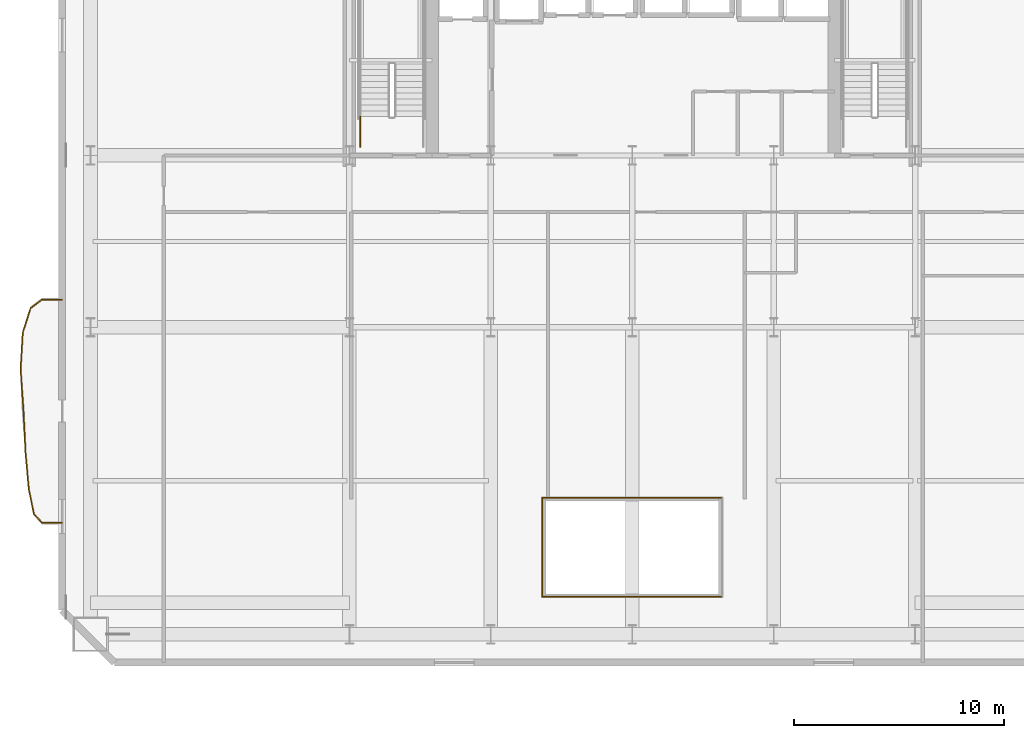
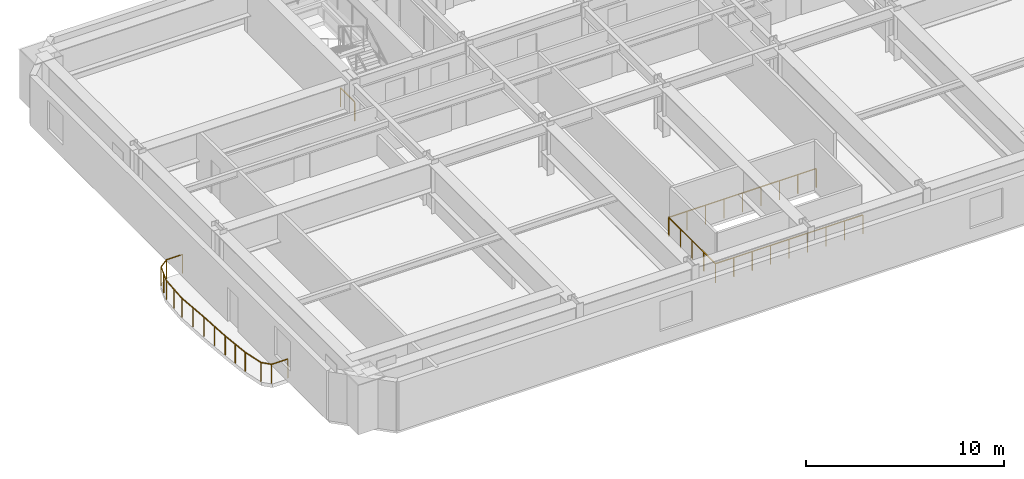
# One storey, part 12 of 18: 14 railings.
"""IFC4 building model written with IfcOpenShell, lengths in metres."""

from ifc_helpers import new_model, si_unit, direction, frame, origin, origin_2d, place, context, subcontext, project, spatial, rectangle, extrude, material, type_object, element, save


model = new_model("IFC4")

# Units and contexts
model_context = context("Model", 3, precision=1e-05, world=origin(), true_north=direction((0.0, 1.0)))
body_context = subcontext(model_context, "Body", "Model", "MODEL_VIEW")
ifc_project = project(units=[si_unit("LENGTHUNIT", "METRE"), si_unit("AREAUNIT", "SQUARE_METRE"), si_unit("VOLUMEUNIT", "CUBIC_METRE"), si_unit("PLANEANGLEUNIT", "RADIAN"), si_unit("MASSUNIT", "GRAM", prefix="KILO")], contexts=[model_context])

# Site, building, storey
site_placement = place(None, origin())
site = spatial("IfcSite", under=ifc_project, at=site_placement, CompositionType="ELEMENT")
building_placement = place(site_placement, origin())
building = spatial("IfcBuilding", under=site, at=building_placement, Name="Haevon Station Towers", CompositionType="ELEMENT")
storey_placement = place(building_placement, frame((0.0, 0.0, 47.10009765625)))
storey = spatial("IfcBuildingStorey", under=building, at=storey_placement, Name="L11", CompositionType="ELEMENT", Elevation=47.10009765625)

# Railings
ifc_material = material(Name="Steel S355", Category="steel")
railing_type_1 = type_object("IfcRailingType", Name="BAL-ATR1200", PredefinedType="BALUSTRADE", material=ifc_material)
railing_1_placement = place(storey_placement, frame((33.19482421875, 17.142333984375, 0.0)))
element("IfcRailing", 1, at=railing_1_placement, inside=storey, type_object=railing_type_1, Name="L11 Atrium Void Balustrade 1", PredefinedType="BALUSTRADE", context=body_context, shape_type="SweptSolid", body=[
    extrude(rectangle(XDim=0.048095703125, YDim=0.048095703125, at=origin_2d()), frame((0.0, 0.0, 1.17578125), z_axis=(1.0, 0.0, 0.0), x_axis=(0.0, 1.0, 0.0)), (0.0, 0.0, 1.0), 8.6103515625),
    extrude(rectangle(XDim=0.0419921875, YDim=0.0419921875, at=origin_2d()), origin(), (0.0, 0.0, 1.0), 1.15185546875),
    extrude(rectangle(XDim=0.0419921875, YDim=0.0419921875, at=origin_2d()), frame((1.076171875, 0.0, 0.0)), (0.0, 0.0, 1.0), 1.15185546875),
    extrude(rectangle(XDim=0.0419921875, YDim=0.0419921875, at=origin_2d()), frame((2.152587890625, 0.0, 0.0)), (0.0, 0.0, 1.0), 1.15185546875),
    extrude(rectangle(XDim=0.0419921875, YDim=0.0419921875, at=origin_2d()), frame((3.22900390625, 0.0, 0.0)), (0.0, 0.0, 1.0), 1.15185546875),
    extrude(rectangle(XDim=0.0419921875, YDim=0.0419921875, at=origin_2d()), frame((4.30517578125, 0.0, 0.0)), (0.0, 0.0, 1.0), 1.15185546875),
    extrude(rectangle(XDim=0.0419921875, YDim=0.0419921875, at=origin_2d()), frame((5.38134765625, 0.0, 0.0)), (0.0, 0.0, 1.0), 1.15185546875),
    extrude(rectangle(XDim=0.0419921875, YDim=0.0419921875, at=origin_2d()), frame((6.457763671875, 0.0, 0.0)), (0.0, 0.0, 1.0), 1.15185546875),
    extrude(rectangle(XDim=0.0419921875, YDim=0.0419921875, at=origin_2d()), frame((7.5341796875, 0.0, 0.0)), (0.0, 0.0, 1.0), 1.15185546875),
    extrude(rectangle(XDim=0.0419921875, YDim=0.0419921875, at=origin_2d()), frame((8.6103515625, 0.0, 0.0)), (0.0, 0.0, 1.0), 1.15185546875),
])
railing_2_placement = place(storey_placement, frame((41.80517578125, 21.857666015625, 0.0)))
element("IfcRailing", 2, at=railing_2_placement, inside=storey, type_object=railing_type_1, Name="L11 Atrium Void Balustrade 3", PredefinedType="BALUSTRADE", context=body_context, shape_type="SweptSolid", body=[
    extrude(rectangle(XDim=0.048095703125, YDim=0.048095703125, at=origin_2d()), frame((0.0, 0.0, 1.17578125), z_axis=(-1.0, 0.0, 0.0), x_axis=(0.0, -1.0, 0.0)), (0.0, 0.0, 1.0), 8.6103515625),
    extrude(rectangle(XDim=0.0419921875, YDim=0.0419921875, at=origin_2d()), origin(), (0.0, 0.0, 1.0), 1.15185546875),
    extrude(rectangle(XDim=0.0419921875, YDim=0.0419921875, at=origin_2d()), frame((-1.076171875, 0.0, 0.0)), (0.0, 0.0, 1.0), 1.15185546875),
    extrude(rectangle(XDim=0.0419921875, YDim=0.0419921875, at=origin_2d()), frame((-2.152587890625, 0.0, 0.0)), (0.0, 0.0, 1.0), 1.15185546875),
    extrude(rectangle(XDim=0.0419921875, YDim=0.0419921875, at=origin_2d()), frame((-3.22900390625, 0.0, 0.0)), (0.0, 0.0, 1.0), 1.15185546875),
    extrude(rectangle(XDim=0.0419921875, YDim=0.0419921875, at=origin_2d()), frame((-4.30517578125, 0.0, 0.0)), (0.0, 0.0, 1.0), 1.15185546875),
    extrude(rectangle(XDim=0.0419921875, YDim=0.0419921875, at=origin_2d()), frame((-5.38134765625, 0.0, 0.0)), (0.0, 0.0, 1.0), 1.15185546875),
    extrude(rectangle(XDim=0.0419921875, YDim=0.0419921875, at=origin_2d()), frame((-6.457763671875, 0.0, 0.0)), (0.0, 0.0, 1.0), 1.15185546875),
    extrude(rectangle(XDim=0.0419921875, YDim=0.0419921875, at=origin_2d()), frame((-7.5341796875, 0.0, 0.0)), (0.0, 0.0, 1.0), 1.15185546875),
    extrude(rectangle(XDim=0.0419921875, YDim=0.0419921875, at=origin_2d()), frame((-8.6103515625, 0.0, 0.0)), (0.0, 0.0, 1.0), 1.15185546875),
])
railing_3_placement = place(storey_placement, frame((33.19482421875, 21.857666015625, 0.0)))
element("IfcRailing", 3, at=railing_3_placement, inside=storey, type_object=railing_type_1, Name="L11 Atrium Void Balustrade 4", PredefinedType="BALUSTRADE", context=body_context, shape_type="SweptSolid", body=[
    extrude(rectangle(XDim=0.048095703125, YDim=0.048095703125, at=origin_2d()), frame((0.0, 0.0, 1.17578125), z_axis=(0.0, -1.0, 0.0), x_axis=(1.0, 0.0, 0.0)), (0.0, 0.0, 1.0), 4.71533203125),
    extrude(rectangle(XDim=0.0419921875, YDim=0.0419921875, at=origin_2d()), origin(), (0.0, 0.0, 1.0), 1.15185546875),
    extrude(rectangle(XDim=0.0419921875, YDim=0.0419921875, at=origin_2d()), frame((0.0, -1.1787109375, 0.0)), (0.0, 0.0, 1.0), 1.15185546875),
    extrude(rectangle(XDim=0.0419921875, YDim=0.0419921875, at=origin_2d()), frame((0.0, -2.357666015625, 0.0)), (0.0, 0.0, 1.0), 1.15185546875),
    extrude(rectangle(XDim=0.0419921875, YDim=0.0419921875, at=origin_2d()), frame((0.0, -3.53662109375, 0.0)), (0.0, 0.0, 1.0), 1.15185546875),
    extrude(rectangle(XDim=0.0419921875, YDim=0.0419921875, at=origin_2d()), frame((0.0, -4.71533203125, 0.0)), (0.0, 0.0, 1.0), 1.15185546875),
])
railing_type_2 = type_object("IfcRailingType", Name="GRD-EXT1200", PredefinedType="GUARDRAIL", material=ifc_material)
railing_4_placement = place(storey_placement, frame((10.276611328125, 31.322021484375, 0.0)))
element("IfcRailing", 4, at=railing_4_placement, inside=storey, type_object=railing_type_2, Name="L11 Perimeter Guardrail 1", PredefinedType="GUARDRAIL", context=body_context, shape_type="SweptSolid", body=[
    extrude(rectangle(XDim=0.048095703125, YDim=0.048095703125, at=origin_2d()), frame((0.0, 0.0, 1.17578125), z_axis=(-0.999997857851, -0.002069853263, 0.0), x_axis=(0.002069853263, -0.999997857851, 0.0)), (0.0, 0.0, 1.0), 0.943603515625),
    extrude(rectangle(XDim=0.0419921875, YDim=0.0419921875, at=origin_2d()), origin(), (0.0, 0.0, 1.0), 1.15185546875),
    extrude(rectangle(XDim=0.0419921875, YDim=0.0419921875, at=origin_2d()), frame((-0.943603515625, -0.001953125, 0.0)), (0.0, 0.0, 1.0), 1.15185546875),
])
railing_5_placement = place(storey_placement, frame((9.3330078125, 31.320068359375, 0.0)))
element("IfcRailing", 5, at=railing_5_placement, inside=storey, type_object=railing_type_2, Name="L11 Perimeter Guardrail 2", PredefinedType="GUARDRAIL", context=body_context, shape_type="SweptSolid", body=[
    extrude(rectangle(XDim=0.048095703125, YDim=0.048095703125, at=origin_2d()), frame((0.0, 0.0, 1.17578125), z_axis=(-0.798409676693, -0.602114597201, 0.0), x_axis=(0.602114597201, -0.798409676693, 0.0)), (0.0, 0.0, 1.0), 0.682861328125),
    extrude(rectangle(XDim=0.0419921875, YDim=0.0419921875, at=origin_2d()), origin(), (0.0, 0.0, 1.0), 1.15185546875),
    extrude(rectangle(XDim=0.0419921875, YDim=0.0419921875, at=origin_2d()), frame((-0.545166015625, -0.4111328125, 0.0)), (0.0, 0.0, 1.0), 1.15185546875),
])
railing_6_placement = place(storey_placement, frame((8.787841796875, 30.908935546875, 0.0)))
element("IfcRailing", 6, at=railing_6_placement, inside=storey, type_object=railing_type_2, Name="L11 Perimeter Guardrail 3", PredefinedType="GUARDRAIL", context=body_context, shape_type="SweptSolid", body=[
    extrude(rectangle(XDim=0.048095703125, YDim=0.048095703125, at=origin_2d()), frame((0.0, 0.0, 1.17578125), z_axis=(-0.303187234273, -0.952931005359, 0.0), x_axis=(0.952931005359, -0.303187234273, 0.0)), (0.0, 0.0, 1.0), 1.227294921875),
    extrude(rectangle(XDim=0.0419921875, YDim=0.0419921875, at=origin_2d()), origin(), (0.0, 0.0, 1.0), 1.15185546875),
    extrude(rectangle(XDim=0.0419921875, YDim=0.0419921875, at=origin_2d()), frame((-0.18603515625, -0.584716796875, 0.0)), (0.0, 0.0, 1.0), 1.15185546875),
    extrude(rectangle(XDim=0.0419921875, YDim=0.0419921875, at=origin_2d()), frame((-0.3720703125, -1.16943359375, 0.0)), (0.0, 0.0, 1.0), 1.15185546875),
])
railing_7_placement = place(storey_placement, frame((8.415771484375, 29.739501953125, 0.0)))
element("IfcRailing", 7, at=railing_7_placement, inside=storey, type_object=railing_type_2, Name="L11 Perimeter Guardrail 4", PredefinedType="GUARDRAIL", context=body_context, shape_type="SweptSolid", body=[
    extrude(rectangle(XDim=0.048095703125, YDim=0.048095703125, at=origin_2d()), frame((0.0, 0.0, 1.17578125), z_axis=(-0.057716779897, -0.99833299721, 0.0), x_axis=(0.99833299721, -0.057716779897, 0.0)), (0.0, 0.0, 1.0), 1.751220703125),
    extrude(rectangle(XDim=0.0419921875, YDim=0.0419921875, at=origin_2d()), origin(), (0.0, 0.0, 1.0), 1.15185546875),
    extrude(rectangle(XDim=0.0419921875, YDim=0.0419921875, at=origin_2d()), frame((-0.050537109375, -0.8740234375, 0.0)), (0.0, 0.0, 1.0), 1.15185546875),
    extrude(rectangle(XDim=0.0419921875, YDim=0.0419921875, at=origin_2d()), frame((-0.10107421875, -1.748291015625, 0.0)), (0.0, 0.0, 1.0), 1.15185546875),
])
railing_8_placement = place(storey_placement, frame((8.314697265625, 27.9912109375, 0.0)))
element("IfcRailing", 8, at=railing_8_placement, inside=storey, type_object=railing_type_2, Name="L11 Perimeter Guardrail 5", PredefinedType="GUARDRAIL", context=body_context, shape_type="SweptSolid", body=[
    extrude(rectangle(XDim=0.048095703125, YDim=0.048095703125, at=origin_2d()), frame((0.0, 0.0, 1.17578125), z_axis=(0.069960576388, -0.99754975703, 0.0), x_axis=(0.99754975703, 0.069960576388, 0.0)), (0.0, 0.0, 1.0), 1.99609375),
    extrude(rectangle(XDim=0.0419921875, YDim=0.0419921875, at=origin_2d()), origin(), (0.0, 0.0, 1.0), 1.15185546875),
    extrude(rectangle(XDim=0.0419921875, YDim=0.0419921875, at=origin_2d()), frame((0.06982421875, -0.99560546875, 0.0)), (0.0, 0.0, 1.0), 1.15185546875),
    extrude(rectangle(XDim=0.0419921875, YDim=0.0419921875, at=origin_2d()), frame((0.1396484375, -1.9912109375, 0.0)), (0.0, 0.0, 1.0), 1.15185546875),
])
railing_9_placement = place(storey_placement, frame((8.454345703125, 26.0, 0.0)))
element("IfcRailing", 9, at=railing_9_placement, inside=storey, type_object=railing_type_2, Name="L11 Perimeter Guardrail 6", PredefinedType="GUARDRAIL", context=body_context, shape_type="SweptSolid", body=[
    extrude(rectangle(XDim=0.048095703125, YDim=0.048095703125, at=origin_2d()), frame((0.0, 0.0, 1.17578125), z_axis=(0.047454457012, -0.998873402644, 0.0), x_axis=(0.998873402644, 0.047454457012, 0.0)), (0.0, 0.0, 1.0), 1.990966796875),
    extrude(rectangle(XDim=0.0419921875, YDim=0.0419921875, at=origin_2d()), origin(), (0.0, 0.0, 1.0), 1.15185546875),
    extrude(rectangle(XDim=0.0419921875, YDim=0.0419921875, at=origin_2d()), frame((0.04736328125, -0.994384765625, 0.0)), (0.0, 0.0, 1.0), 1.15185546875),
    extrude(rectangle(XDim=0.0419921875, YDim=0.0419921875, at=origin_2d()), frame((0.094482421875, -1.98876953125, 0.0)), (0.0, 0.0, 1.0), 1.15185546875),
])
railing_10_placement = place(storey_placement, frame((8.548828125, 24.01123046875, 0.0)))
element("IfcRailing", 10, at=railing_10_placement, inside=storey, type_object=railing_type_2, Name="L11 Perimeter Guardrail 7", PredefinedType="GUARDRAIL", context=body_context, shape_type="SweptSolid", body=[
    extrude(rectangle(XDim=0.048095703125, YDim=0.048095703125, at=origin_2d()), frame((0.0, 0.0, 1.17578125), z_axis=(0.090310252801, -0.995913680114, 0.0), x_axis=(0.995913680114, 0.090310252801, 0.0)), (0.0, 0.0, 1.0), 1.757080078125),
    extrude(rectangle(XDim=0.0419921875, YDim=0.0419921875, at=origin_2d()), origin(), (0.0, 0.0, 1.0), 1.15185546875),
    extrude(rectangle(XDim=0.0419921875, YDim=0.0419921875, at=origin_2d()), frame((0.079345703125, -0.875, 0.0)), (0.0, 0.0, 1.0), 1.15185546875),
    extrude(rectangle(XDim=0.0419921875, YDim=0.0419921875, at=origin_2d()), frame((0.15869140625, -1.75, 0.0)), (0.0, 0.0, 1.0), 1.15185546875),
])
railing_11_placement = place(storey_placement, frame((8.70751953125, 22.26123046875, 0.0)))
element("IfcRailing", 11, at=railing_11_placement, inside=storey, type_object=railing_type_2, Name="L11 Perimeter Guardrail 8", PredefinedType="GUARDRAIL", context=body_context, shape_type="SweptSolid", body=[
    extrude(rectangle(XDim=0.048095703125, YDim=0.048095703125, at=origin_2d()), frame((0.0, 0.0, 1.17578125), z_axis=(0.201497232752, -0.979489083754, 0.0), x_axis=(0.979489083754, 0.201497232752, 0.0)), (0.0, 0.0, 1.0), 1.194580078125),
    extrude(rectangle(XDim=0.0419921875, YDim=0.0419921875, at=origin_2d()), origin(), (0.0, 0.0, 1.0), 1.15185546875),
    extrude(rectangle(XDim=0.0419921875, YDim=0.0419921875, at=origin_2d()), frame((0.24072265625, -1.170166015625, 0.0)), (0.0, 0.0, 1.0), 1.15185546875),
])
railing_12_placement = place(storey_placement, frame((8.9482421875, 21.091064453125, 0.0)))
element("IfcRailing", 12, at=railing_12_placement, inside=storey, type_object=railing_type_2, Name="L11 Perimeter Guardrail 9", PredefinedType="GUARDRAIL", context=body_context, shape_type="SweptSolid", body=[
    extrude(rectangle(XDim=0.048095703125, YDim=0.048095703125, at=origin_2d()), frame((0.0, 0.0, 1.17578125), z_axis=(0.683306289544, -0.730131847456, 0.0), x_axis=(0.730131847456, 0.683306289544, 0.0)), (0.0, 0.0, 1.0), 0.56298828125),
    extrude(rectangle(XDim=0.0419921875, YDim=0.0419921875, at=origin_2d()), origin(), (0.0, 0.0, 1.0), 1.15185546875),
    extrude(rectangle(XDim=0.0419921875, YDim=0.0419921875, at=origin_2d()), frame((0.384765625, -0.4111328125, 0.0)), (0.0, 0.0, 1.0), 1.15185546875),
])
railing_13_placement = place(storey_placement, frame((9.3330078125, 20.679931640625, 0.0)))
element("IfcRailing", 13, at=railing_13_placement, inside=storey, type_object=railing_type_2, Name="L11 Perimeter Guardrail 10", PredefinedType="GUARDRAIL", context=body_context, shape_type="SweptSolid", body=[
    extrude(rectangle(XDim=0.048095703125, YDim=0.048095703125, at=origin_2d()), frame((0.0, 0.0, 1.17578125), z_axis=(0.999997857851, -0.002069853263, 0.0), x_axis=(0.002069853263, 0.999997857851, 0.0)), (0.0, 0.0, 1.0), 0.943603515625),
    extrude(rectangle(XDim=0.0419921875, YDim=0.0419921875, at=origin_2d()), origin(), (0.0, 0.0, 1.0), 1.15185546875),
    extrude(rectangle(XDim=0.0419921875, YDim=0.0419921875, at=origin_2d()), frame((0.943603515625, -0.001953125, 0.0)), (0.0, 0.0, 1.0), 1.15185546875),
])
railing_type_3 = type_object("IfcRailingType", Name="GRD-STR1200", PredefinedType="GUARDRAIL", material=ifc_material)
railing_14_placement = place(storey_placement, frame((24.530029296875, 38.60009765625, 0.0)))
element("IfcRailing", 14, at=railing_14_placement, inside=storey, type_object=railing_type_3, Name="L11 ST1 Stair Guard 9", PredefinedType="GUARDRAIL", context=body_context, shape_type="SweptSolid", body=[
    extrude(rectangle(XDim=0.048095703125, YDim=0.048095703125, at=origin_2d()), frame((0.0, 0.0, 1.17578125), z_axis=(0.0, 1.0, 0.0), x_axis=(-1.0, 0.0, 0.0)), (0.0, 0.0, 1.0), 1.449951171875),
    extrude(rectangle(XDim=0.0419921875, YDim=0.0419921875, at=origin_2d()), origin(), (0.0, 0.0, 1.0), 1.15185546875),
    extrude(rectangle(XDim=0.0419921875, YDim=0.0419921875, at=origin_2d()), frame((0.0, 1.449951171875, 0.0)), (0.0, 0.0, 1.0), 1.15185546875),
])

save(model, "model.ifc")
